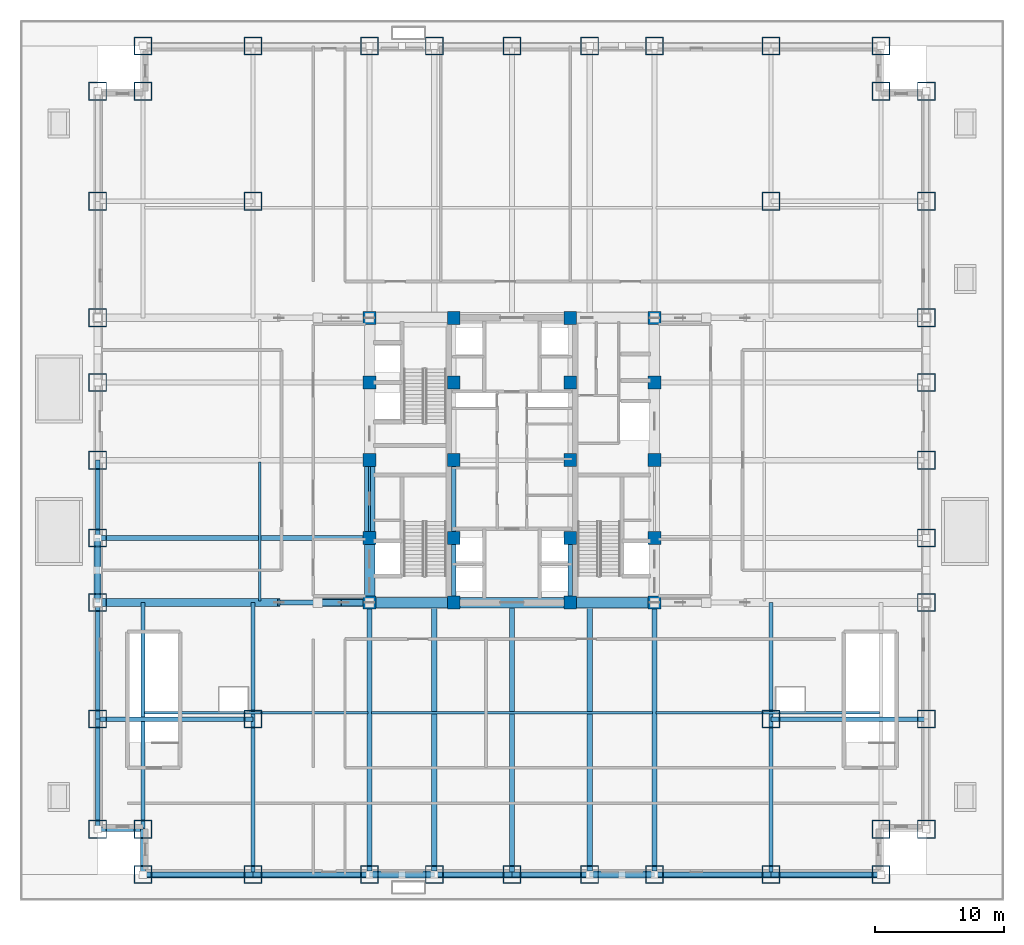
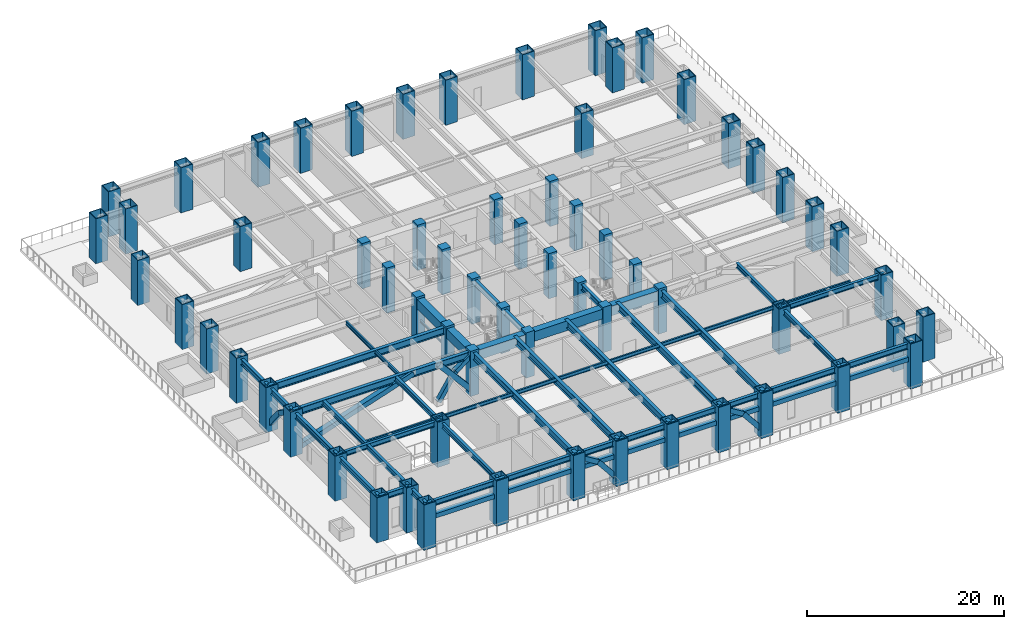
# One storey, part 1 of 21: 64 columns, 39 beams, 11 members.
"""IFC4 building model written with IfcOpenShell, lengths in metres."""

from ifc_helpers import new_model, si_unit, direction, frame, origin, origin_2d, place, context, subcontext, project, spatial, rectangle, hollow_rectangle, i_section, extrude, source, transform, mapped, material, material_profile, profile_set, type_object, element, save


model = new_model("IFC4")

# Units and contexts
model_context = context("Model", 3, precision=1e-05, world=origin(), true_north=direction((0.0, 1.0)))
body_context = subcontext(model_context, "Body", "Model", "MODEL_VIEW")
ifc_project = project(units=[si_unit("LENGTHUNIT", "METRE"), si_unit("AREAUNIT", "SQUARE_METRE"), si_unit("VOLUMEUNIT", "CUBIC_METRE"), si_unit("PLANEANGLEUNIT", "RADIAN"), si_unit("MASSUNIT", "GRAM", prefix="KILO")], contexts=[model_context])

# Site, building, storey
site_placement = place(None, origin())
site = spatial("IfcSite", under=ifc_project, at=site_placement, CompositionType="ELEMENT")
building_placement = place(site_placement, origin())
building = spatial("IfcBuilding", under=site, at=building_placement, Name="Khorayat Bourse Tower", CompositionType="ELEMENT")
storey_placement = place(building_placement, frame((0.0, 0.0, 27.0)))
storey = spatial("IfcBuildingStorey", under=building, at=storey_placement, Name="L05", CompositionType="ELEMENT", Elevation=27.0)

# Columns
ifc_material_1 = material(Name="Steel EN 10025-4 S460M", Category="steel")
ifc_material_profile_1 = material_profile(ifc_material_1, hollow_rectangle(XDim=1.39990234375, YDim=1.39990234375, WallThickness=0.074951171875, at=origin_2d()), Name="BOX 1400x1400x75")
ifc_profile_set_1 = profile_set([ifc_material_profile_1], Name="Steel EN 10025-4 S460M")
column_type_1 = type_object("IfcColumnType", Name="COL-TUBE-1400", PredefinedType="COLUMN", material=ifc_profile_set_1)
shared_shape_1 = source(origin(), body_context, "Body", "SweptSolid", [
    extrude(hollow_rectangle(XDim=1.39990234375, YDim=1.39990234375, WallThickness=0.074951171875, at=origin_2d()), origin(), (0.0, 0.0, 1.0), 5.60009765625),
])
for number, where, z_axis, x_axis, name in (
    (1, (-32.0, -28.5, 0.0), (0.0, 0.0, 1.0), (1.0, 0.0, 0.0), "L05 Column 001"),
    (2, (-32.0, -20.0, 0.0), (0.0, 0.0, 1.0), (1.0, 0.0, 0.0), "L05 Column 002"),
    (3, (-32.0, -11.0, 0.0), (0.0, 0.0, 1.0), (1.0, 0.0, 0.0), "L05 Column 003"),
    (4, (-32.0, -6.0, 0.0), (0.0, 0.0, 1.0), (1.0, 0.0, 0.0), "L05 Column 004"),
    (5, (-32.0, 0.0, 0.0), (0.0, 0.0, 1.0), (1.0, 0.0, 0.0), "L05 Column 005"),
    (6, (-32.0, 6.0, 0.0), (0.0, 0.0, 1.0), (1.0, 0.0, 0.0), "L05 Column 006"),
    (7, (-32.0, 11.0, 0.0), (0.0, 0.0, 1.0), (1.0, 0.0, 0.0), "L05 Column 007"),
    (8, (-32.0, 20.0, 0.0), (0.0, 0.0, 1.0), (1.0, 0.0, 0.0), "L05 Column 008"),
    (9, (-32.0, 28.5, 0.0), (0.0, 0.0, 1.0), (1.0, 0.0, 0.0), "L05 Column 009"),
    (10, (-28.5, -32.0, 0.0), (0.0, 0.0, 1.0), (1.0, 0.0, 0.0), "L05 Column 010"),
    (11, (-28.5, -28.5, 0.0), (0.0, 0.0, 1.0), (1.0, 0.0, 0.0), "L05 Column 011"),
    (12, (-28.5, 28.5, 0.0), (0.0, 0.0, 1.0), (1.0, 0.0, 0.0), "L05 Column 012"),
    (13, (-28.5, 32.0, 0.0), (0.0, 0.0, 1.0), (1.0, 0.0, 0.0), "L05 Column 013"),
    (14, (-20.0, -32.0, 0.0), (0.0, 0.0, 1.0), (1.0, 0.0, 0.0), "L05 Column 014"),
    (15, (-20.0, -20.0, 0.0), (0.0, 0.0, 1.0), (1.0, 0.0, 0.0), "L05 Column 015"),
    (16, (-20.0, 20.0, 0.0), (0.0, 0.0, 1.0), (1.0, 0.0, 0.0), "L05 Column 016"),
    (17, (-20.0, 32.0, 0.0), (0.0, 0.0, 1.0), (1.0, 0.0, 0.0), "L05 Column 017"),
    (18, (-11.0, -32.0, 0.0), (0.0, 0.0, 1.0), (1.0, 0.0, 0.0), "L05 Column 018"),
    (19, (-11.0, 32.0, 0.0), (0.0, 0.0, 1.0), (1.0, 0.0, 0.0), "L05 Column 024"),
    (20, (-6.0, -32.0, 0.0), (0.0, 0.0, 1.0), (1.0, 0.0, 0.0), "L05 Column 025"),
    (21, (-6.0, 32.0, 0.0), (0.0, 0.0, 1.0), (1.0, 0.0, 0.0), "L05 Column 026"),
    (22, (0.0, -32.0, 0.0), (0.0, 0.0, 1.0), (1.0, 0.0, 0.0), "L05 Column 032"),
    (23, (0.0, 32.0, 0.0), (0.0, 0.0, 1.0), (1.0, 0.0, 0.0), "L05 Column 033"),
    (24, (6.0, -32.0, 0.0), (0.0, 0.0, 1.0), (1.0, 0.0, 0.0), "L05 Column 039"),
    (25, (6.0, 32.0, 0.0), (0.0, 0.0, 1.0), (1.0, 0.0, 0.0), "L05 Column 040"),
    (26, (11.0, -32.0, 0.0), (0.0, 0.0, 1.0), (1.0, 0.0, 0.0), "L05 Column 041"),
    (27, (11.0, 32.0, 0.0), (0.0, 0.0, 1.0), (1.0, 0.0, 0.0), "L05 Column 047"),
    (28, (20.0, -32.0, 0.0), (0.0, 0.0, 1.0), (1.0, 0.0, 0.0), "L05 Column 048"),
    (29, (20.0, -20.0, 0.0), (0.0, 0.0, 1.0), (1.0, 0.0, 0.0), "L05 Column 049"),
    (30, (20.0, 20.0, 0.0), (0.0, 0.0, 1.0), (1.0, 0.0, 0.0), "L05 Column 050"),
    (31, (20.0, 32.0, 0.0), (0.0, 0.0, 1.0), (1.0, 0.0, 0.0), "L05 Column 051"),
    (32, (28.5, -32.0, 0.0), (0.0, 0.0, 1.0), (1.0, 0.0, 0.0), "L05 Column 052"),
    (33, (28.5, -28.5, 0.0), (0.0, 0.0, 1.0), (1.0, 0.0, 0.0), "L05 Column 053"),
    (34, (28.5, 28.5, 0.0), (0.0, 0.0, 1.0), (1.0, 0.0, 0.0), "L05 Column 054"),
    (35, (28.5, 32.0, 0.0), (0.0, 0.0, 1.0), (1.0, 0.0, 0.0), "L05 Column 055"),
    (36, (32.0, -28.5, 0.0), (0.0, 0.0, 1.0), (1.0, 0.0, 0.0), "L05 Column 056"),
    (37, (32.0, -20.0, 0.0), (0.0, 0.0, 1.0), (1.0, 0.0, 0.0), "L05 Column 057"),
    (38, (32.0, -11.0, 0.0), (0.0, 0.0, 1.0), (1.0, 0.0, 0.0), "L05 Column 058"),
    (39, (32.0, -6.0, 0.0), (0.0, 0.0, 1.0), (1.0, 0.0, 0.0), "L05 Column 059"),
    (40, (32.0, 0.0, 0.0), (0.0, 0.0, 1.0), (1.0, 0.0, 0.0), "L05 Column 060"),
    (41, (32.0, 6.0, 0.0), (0.0, 0.0, 1.0), (1.0, 0.0, 0.0), "L05 Column 061"),
    (42, (32.0, 11.0, 0.0), (0.0, 0.0, 1.0), (1.0, 0.0, 0.0), "L05 Column 062"),
    (43, (32.0, 20.0, 0.0), (0.0, 0.0, 1.0), (1.0, 0.0, 0.0), "L05 Column 063"),
    (44, (32.0, 28.5, 0.0), (0.0, 0.0, 1.0), (1.0, 0.0, 0.0), "L05 Column 064"),
):
    element("IfcColumn", number, at=place(storey_placement, frame(where, z_axis=z_axis, x_axis=x_axis)), inside=storey, type_object=column_type_1, Name=name, PredefinedType="COLUMN", context=body_context, shape_type="MappedRepresentation", body=[
        mapped(shared_shape_1, transform((0.0, 0.0, 0.0), scale=1.0)),
    ])
ifc_material_2 = material(Name="Concrete C72/90", Category="concrete")
ifc_material_profile_2 = material_profile(ifc_material_2, rectangle(XDim=1.0, YDim=1.0, at=origin_2d()), Name="RC 1000x1000")
ifc_profile_set_2 = profile_set([ifc_material_profile_2], Name="Concrete C72/90")
column_type_2 = type_object("IfcColumnType", Name="COL-CORE-1000", PredefinedType="COLUMN", material=ifc_profile_set_2)
shared_shape_2 = source(origin(), body_context, "Body", "SweptSolid", [
    extrude(rectangle(XDim=1.0, YDim=1.0, at=origin_2d()), origin(), (0.0, 0.0, 1.0), 5.60009765625),
])
for number, where, z_axis, x_axis, name in (
    (45, (-11.0, -11.0, 0.0), (0.0, 0.0, 1.0), (1.0, 0.0, 0.0), "L05 Column 019"),
    (46, (-11.0, -6.0, 0.0), (0.0, 0.0, 1.0), (1.0, 0.0, 0.0), "L05 Column 020"),
    (47, (-11.0, 0.0, 0.0), (0.0, 0.0, 1.0), (1.0, 0.0, 0.0), "L05 Column 021"),
    (48, (-11.0, 6.0, 0.0), (0.0, 0.0, 1.0), (1.0, 0.0, 0.0), "L05 Column 022"),
    (49, (-11.0, 11.0, 0.0), (0.0, 0.0, 1.0), (1.0, 0.0, 0.0), "L05 Column 023"),
    (50, (-4.5, -11.0, 0.0), (0.0, 0.0, 1.0), (1.0, 0.0, 0.0), "L05 Column 027"),
    (51, (-4.5, -6.0, 0.0), (0.0, 0.0, 1.0), (1.0, 0.0, 0.0), "L05 Column 028"),
    (52, (-4.5, 0.0, 0.0), (0.0, 0.0, 1.0), (1.0, 0.0, 0.0), "L05 Column 029"),
    (53, (-4.5, 6.0, 0.0), (0.0, 0.0, 1.0), (1.0, 0.0, 0.0), "L05 Column 030"),
    (54, (-4.5, 11.0, 0.0), (0.0, 0.0, 1.0), (1.0, 0.0, 0.0), "L05 Column 031"),
    (55, (4.5, -11.0, 0.0), (0.0, 0.0, 1.0), (1.0, 0.0, 0.0), "L05 Column 034"),
    (56, (4.5, -6.0, 0.0), (0.0, 0.0, 1.0), (1.0, 0.0, 0.0), "L05 Column 035"),
    (57, (4.5, 0.0, 0.0), (0.0, 0.0, 1.0), (1.0, 0.0, 0.0), "L05 Column 036"),
    (58, (4.5, 6.0, 0.0), (0.0, 0.0, 1.0), (1.0, 0.0, 0.0), "L05 Column 037"),
    (59, (4.5, 11.0, 0.0), (0.0, 0.0, 1.0), (1.0, 0.0, 0.0), "L05 Column 038"),
    (60, (11.0, -11.0, 0.0), (0.0, 0.0, 1.0), (1.0, 0.0, 0.0), "L05 Column 042"),
    (61, (11.0, -6.0, 0.0), (0.0, 0.0, 1.0), (1.0, 0.0, 0.0), "L05 Column 043"),
    (62, (11.0, 0.0, 0.0), (0.0, 0.0, 1.0), (1.0, 0.0, 0.0), "L05 Column 044"),
    (63, (11.0, 6.0, 0.0), (0.0, 0.0, 1.0), (1.0, 0.0, 0.0), "L05 Column 045"),
    (64, (11.0, 11.0, 0.0), (0.0, 0.0, 1.0), (1.0, 0.0, 0.0), "L05 Column 046"),
):
    element("IfcColumn", number, at=place(storey_placement, frame(where, z_axis=z_axis, x_axis=x_axis)), inside=storey, type_object=column_type_2, Name=name, PredefinedType="COLUMN", context=body_context, shape_type="MappedRepresentation", body=[
        mapped(shared_shape_2, transform((0.0, 0.0, 0.0), scale=1.0)),
    ])

# Beams
ifc_material_profile_3 = material_profile(ifc_material_2, rectangle(XDim=0.800048828125, YDim=1.199951171875, at=origin_2d()), Name="RC 800x1200")
ifc_profile_set_3 = profile_set([ifc_material_profile_3], Name="Concrete C72/90")
beam_type_1 = type_object("IfcBeamType", Name="BM-COUP-1200", PredefinedType="BEAM", material=ifc_profile_set_3)
shared_shape_3 = source(origin(), body_context, "Body", "SweptSolid", [
    extrude(rectangle(XDim=0.800048828125, YDim=1.199951171875, at=origin_2d()), origin(), (0.0, 0.0, 1.0), 5.0),
])
beam_1_placement = place(storey_placement, frame((-11.0, -11.0, 4.739990234375), z_axis=(0.0, 1.0, 0.0), x_axis=(-1.0, 0.0, 0.0)))
element("IfcBeam", 65, at=beam_1_placement, inside=storey, type_object=beam_type_1, Name="L05 BM-COUP-1200 BM-L05-CRX-01", PredefinedType="BEAM", context=body_context, shape_type="MappedRepresentation", body=[
    mapped(shared_shape_3, transform((0.0, 0.0, 0.0), scale=1.0)),
])
shared_shape_4 = source(origin(), body_context, "Body", "SweptSolid", [
    extrude(rectangle(XDim=0.800048828125, YDim=1.199951171875, at=origin_2d()), origin(), (0.0, 0.0, 1.0), 6.0),
])
beam_2_placement = place(storey_placement, frame((-11.0, -6.0, 4.739990234375), z_axis=(0.0, 1.0, 0.0), x_axis=(-1.0, 0.0, 0.0)))
element("IfcBeam", 66, at=beam_2_placement, inside=storey, type_object=beam_type_1, Name="L05 BM-COUP-1200 BM-L05-CRX-02", PredefinedType="BEAM", context=body_context, shape_type="MappedRepresentation", body=[
    mapped(shared_shape_4, transform((0.0, 0.0, 0.0), scale=1.0)),
])
ifc_material_3 = material(Name="Steel ASTM A992 Grade 50", Category="steel")
ifc_material_profile_4 = material_profile(ifc_material_3, i_section(OverallWidth=0.35498046875, OverallDepth=0.695068359375, WebThickness=0.015380859375, FlangeThickness=0.02490234375, FilletRadius=0.01806640625, at=origin_2d()), Name="W690X217")
ifc_profile_set_4 = profile_set([ifc_material_profile_4], Name="Steel ASTM A992 Grade 50")
beam_type_2 = type_object("IfcBeamType", Name="BM-GIRD-690", PredefinedType="BEAM", material=ifc_profile_set_4)
shared_shape_5 = source(origin(), body_context, "Body", "SweptSolid", [
    extrude(i_section(OverallWidth=0.35498046875, OverallDepth=0.695068359375, WebThickness=0.015380859375, FlangeThickness=0.02490234375, FilletRadius=0.01806640625, at=origin_2d()), origin(), (0.0, 0.0, 1.0), 5.0),
])
for number, where, z_axis, x_axis, name in (
    (67, (-4.5, -11.0, 4.992431640625), (0.0, 1.0, 0.0), (-1.0, 0.0, 0.0), "L05 BM-GIRD-690 BM-L05-CRX-05"),
    (68, (4.5, -11.0, 4.992431640625), (0.0, 1.0, 0.0), (-1.0, 0.0, 0.0), "L05 BM-GIRD-690 BM-L05-CRX-09"),
):
    element("IfcBeam", number, at=place(storey_placement, frame(where, z_axis=z_axis, x_axis=x_axis)), inside=storey, type_object=beam_type_2, Name=name, PredefinedType="BEAM", context=body_context, shape_type="MappedRepresentation", body=[
        mapped(shared_shape_5, transform((0.0, 0.0, 0.0), scale=1.0)),
    ])
shared_shape_6 = source(origin(), body_context, "Body", "SweptSolid", [
    extrude(i_section(OverallWidth=0.35498046875, OverallDepth=0.695068359375, WebThickness=0.015380859375, FlangeThickness=0.02490234375, FilletRadius=0.01806640625, at=origin_2d()), origin(), (0.0, 0.0, 1.0), 6.0),
])
beam_3_placement = place(storey_placement, frame((-4.5, -6.0, 4.992431640625), z_axis=(0.0, 1.0, 0.0), x_axis=(-1.0, 0.0, 0.0)))
element("IfcBeam", 69, at=beam_3_placement, inside=storey, type_object=beam_type_2, Name="L05 BM-GIRD-690 BM-L05-CRX-06", PredefinedType="BEAM", context=body_context, shape_type="MappedRepresentation", body=[
    mapped(shared_shape_6, transform((0.0, 0.0, 0.0), scale=1.0)),
])
shared_shape_7 = source(origin(), body_context, "Body", "SweptSolid", [
    extrude(rectangle(XDim=0.800048828125, YDim=1.199951171875, at=origin_2d()), origin(), (0.0, 0.0, 1.0), 6.5),
])
for number, where, z_axis, x_axis, name in (
    (70, (-11.0, -11.0, 4.739990234375), (1.0, 0.0, 0.0), (0.0, 1.0, 0.0), "L05 BM-COUP-1200 BM-L05-CRY-17"),
    (71, (4.5, -11.0, 4.739990234375), (1.0, 0.0, 0.0), (0.0, 1.0, 0.0), "L05 BM-COUP-1200 BM-L05-CRY-19"),
):
    element("IfcBeam", number, at=place(storey_placement, frame(where, z_axis=z_axis, x_axis=x_axis)), inside=storey, type_object=beam_type_1, Name=name, PredefinedType="BEAM", context=body_context, shape_type="MappedRepresentation", body=[
        mapped(shared_shape_7, transform((0.0, 0.0, 0.0), scale=1.0)),
    ])
shared_shape_8 = source(origin(), body_context, "Body", "SweptSolid", [
    extrude(rectangle(XDim=0.800048828125, YDim=1.199951171875, at=origin_2d()), origin(), (0.0, 0.0, 1.0), 9.0),
])
beam_4_placement = place(storey_placement, frame((-4.5, -11.0, 4.739990234375), z_axis=(1.0, 0.0, 0.0), x_axis=(0.0, 1.0, 0.0)))
element("IfcBeam", 72, at=beam_4_placement, inside=storey, type_object=beam_type_1, Name="L05 BM-COUP-1200 BM-L05-CRY-18", PredefinedType="BEAM", context=body_context, shape_type="MappedRepresentation", body=[
    mapped(shared_shape_8, transform((0.0, 0.0, 0.0), scale=1.0)),
])
ifc_material_profile_5 = material_profile(ifc_material_3, i_section(OverallWidth=0.35498046875, OverallDepth=0.695068359375, WebThickness=0.015380859375, FlangeThickness=0.02490234375, FilletRadius=0.01806640625, at=origin_2d()), Name="W690X217")
ifc_profile_set_5 = profile_set([ifc_material_profile_5], Name="Steel ASTM A992 Grade 50")
beam_type_3 = type_object("IfcBeamType", Name="BM-SPAN-690", PredefinedType="SPANDREL", material=ifc_profile_set_5)
shared_shape_9 = source(origin(), body_context, "Body", "SweptSolid", [
    extrude(i_section(OverallWidth=0.35498046875, OverallDepth=0.695068359375, WebThickness=0.015380859375, FlangeThickness=0.02490234375, FilletRadius=0.01806640625, at=origin_2d()), origin(), (0.0, 0.0, 1.0), 8.5),
])
for number, where, z_axis, x_axis, name in (
    (73, (-28.5, -32.0, 4.992431640625), (1.0, 0.0, 0.0), (0.0, 1.0, 0.0), "L05 BM-SPAN-690 BM-L05-SPN-024"),
    (74, (20.0, -32.0, 4.992431640625), (1.0, 0.0, 0.0), (0.0, 1.0, 0.0), "L05 BM-SPAN-690 BM-L05-SPN-031"),
    (75, (-32.0, -28.5, 4.992431640625), (0.0, 1.0, 0.0), (-1.0, 0.0, 0.0), "L05 BM-SPAN-690 BM-L05-SPN-061"),
):
    element("IfcBeam", number, at=place(storey_placement, frame(where, z_axis=z_axis, x_axis=x_axis)), inside=storey, type_object=beam_type_3, Name=name, PredefinedType="SPANDREL", context=body_context, shape_type="MappedRepresentation", body=[
        mapped(shared_shape_9, transform((0.0, 0.0, 0.0), scale=1.0)),
    ])
shared_shape_10 = source(origin(), body_context, "Body", "SweptSolid", [
    extrude(i_section(OverallWidth=0.35498046875, OverallDepth=0.695068359375, WebThickness=0.015380859375, FlangeThickness=0.02490234375, FilletRadius=0.01806640625, at=origin_2d()), origin(), (0.0, 0.0, 1.0), 9.0),
])
for number, where, z_axis, x_axis, name in (
    (76, (-20.0, -32.0, 4.992431640625), (1.0, 0.0, 0.0), (0.0, 1.0, 0.0), "L05 BM-SPAN-690 BM-L05-SPN-025"),
    (77, (11.0, -32.0, 4.992431640625), (1.0, 0.0, 0.0), (0.0, 1.0, 0.0), "L05 BM-SPAN-690 BM-L05-SPN-030"),
    (78, (-32.0, -20.0, 4.992431640625), (0.0, 1.0, 0.0), (-1.0, 0.0, 0.0), "L05 BM-SPAN-690 BM-L05-SPN-060"),
):
    element("IfcBeam", number, at=place(storey_placement, frame(where, z_axis=z_axis, x_axis=x_axis)), inside=storey, type_object=beam_type_3, Name=name, PredefinedType="SPANDREL", context=body_context, shape_type="MappedRepresentation", body=[
        mapped(shared_shape_10, transform((0.0, 0.0, 0.0), scale=1.0)),
    ])
shared_shape_11 = source(origin(), body_context, "Body", "SweptSolid", [
    extrude(i_section(OverallWidth=0.35498046875, OverallDepth=0.695068359375, WebThickness=0.015380859375, FlangeThickness=0.02490234375, FilletRadius=0.01806640625, at=origin_2d()), origin(), (0.0, 0.0, 1.0), 5.0),
])
for number, where, z_axis, x_axis, name in (
    (79, (-11.0, -32.0, 4.992431640625), (1.0, 0.0, 0.0), (0.0, 1.0, 0.0), "L05 BM-SPAN-690 BM-L05-SPN-026"),
    (80, (6.0, -32.0, 4.992431640625), (1.0, 0.0, 0.0), (0.0, 1.0, 0.0), "L05 BM-SPAN-690 BM-L05-SPN-029"),
    (81, (-32.0, -11.0, 4.992431640625), (0.0, 1.0, 0.0), (-1.0, 0.0, 0.0), "L05 BM-SPAN-690 BM-L05-SPN-059"),
):
    element("IfcBeam", number, at=place(storey_placement, frame(where, z_axis=z_axis, x_axis=x_axis)), inside=storey, type_object=beam_type_3, Name=name, PredefinedType="SPANDREL", context=body_context, shape_type="MappedRepresentation", body=[
        mapped(shared_shape_11, transform((0.0, 0.0, 0.0), scale=1.0)),
    ])
shared_shape_12 = source(origin(), body_context, "Body", "SweptSolid", [
    extrude(i_section(OverallWidth=0.35498046875, OverallDepth=0.695068359375, WebThickness=0.015380859375, FlangeThickness=0.02490234375, FilletRadius=0.01806640625, at=origin_2d()), origin(), (0.0, 0.0, 1.0), 6.0),
])
for number, where, z_axis, x_axis, name in (
    (82, (-6.0, -32.0, 4.992431640625), (1.0, 0.0, 0.0), (0.0, 1.0, 0.0), "L05 BM-SPAN-690 BM-L05-SPN-027"),
    (83, (0.0, -32.0, 4.992431640625), (1.0, 0.0, 0.0), (0.0, 1.0, 0.0), "L05 BM-SPAN-690 BM-L05-SPN-028"),
    (84, (-32.0, -6.0, 4.992431640625), (0.0, 1.0, 0.0), (-1.0, 0.0, 0.0), "L05 BM-SPAN-690 BM-L05-SPN-058"),
):
    element("IfcBeam", number, at=place(storey_placement, frame(where, z_axis=z_axis, x_axis=x_axis)), inside=storey, type_object=beam_type_3, Name=name, PredefinedType="SPANDREL", context=body_context, shape_type="MappedRepresentation", body=[
        mapped(shared_shape_12, transform((0.0, 0.0, 0.0), scale=1.0)),
    ])
shared_shape_13 = source(origin(), body_context, "Body", "SweptSolid", [
    extrude(i_section(OverallWidth=0.35498046875, OverallDepth=0.695068359375, WebThickness=0.015380859375, FlangeThickness=0.02490234375, FilletRadius=0.01806640625, at=origin_2d()), origin(), (0.0, 0.0, 1.0), 3.5),
])
for number, where, z_axis, x_axis, name in (
    (85, (-32.0, -28.5, 4.992431640625), (1.0, 0.0, 0.0), (0.0, 1.0, 0.0), "L05 BM-SPAN-690 BM-L05-SPN-062"),
    (86, (-28.5, -32.0, 4.992431640625), (0.0, 1.0, 0.0), (-1.0, 0.0, 0.0), "L05 BM-SPAN-690 BM-L05-SPN-063"),
):
    element("IfcBeam", number, at=place(storey_placement, frame(where, z_axis=z_axis, x_axis=x_axis)), inside=storey, type_object=beam_type_3, Name=name, PredefinedType="SPANDREL", context=body_context, shape_type="MappedRepresentation", body=[
        mapped(shared_shape_13, transform((0.0, 0.0, 0.0), scale=1.0)),
    ])
ifc_material_profile_6 = material_profile(ifc_material_3, i_section(OverallWidth=0.39990234375, OverallDepth=0.85498046875, WebThickness=0.018310546875, FlangeThickness=0.029296875, FilletRadius=0.02001953125, at=origin_2d()), Name="W840X299")
ifc_profile_set_6 = profile_set([ifc_material_profile_6], Name="Steel ASTM A992 Grade 50")
beam_type_4 = type_object("IfcBeamType", Name="BM-GIRD-840", PredefinedType="BEAM", material=ifc_profile_set_6)
shared_shape_14 = source(origin(), body_context, "Body", "SweptSolid", [
    extrude(i_section(OverallWidth=0.39990234375, OverallDepth=0.85498046875, WebThickness=0.018310546875, FlangeThickness=0.029296875, FilletRadius=0.02001953125, at=origin_2d()), origin(), (0.0, 0.0, 1.0), 21.0),
])
for number, where, z_axis, x_axis, name in (
    (87, (-11.0, -32.0, 4.91259765625), (0.0, 1.0, 0.0), (-1.0, 0.0, 0.0), "L05 BM-GIRD-840 BM-L05-RADY-065"),
    (88, (-6.0, -32.0, 4.91259765625), (0.0, 1.0, 0.0), (-1.0, 0.0, 0.0), "L05 BM-GIRD-840 BM-L05-RADY-067"),
    (89, (0.0, -32.0, 4.91259765625), (0.0, 1.0, 0.0), (-1.0, 0.0, 0.0), "L05 BM-GIRD-840 BM-L05-RADY-069"),
    (90, (6.0, -32.0, 4.91259765625), (0.0, 1.0, 0.0), (-1.0, 0.0, 0.0), "L05 BM-GIRD-840 BM-L05-RADY-071"),
    (91, (11.0, -32.0, 4.91259765625), (0.0, 1.0, 0.0), (-1.0, 0.0, 0.0), "L05 BM-GIRD-840 BM-L05-RADY-073"),
    (92, (-32.0, -11.0, 4.91259765625), (1.0, 0.0, 0.0), (0.0, 1.0, 0.0), "L05 BM-GIRD-840 BM-L05-RADX-075"),
    (93, (-32.0, -6.0, 4.91259765625), (1.0, 0.0, 0.0), (0.0, 1.0, 0.0), "L05 BM-GIRD-840 BM-L05-RADX-077"),
):
    element("IfcBeam", number, at=place(storey_placement, frame(where, z_axis=z_axis, x_axis=x_axis)), inside=storey, type_object=beam_type_4, Name=name, PredefinedType="BEAM", context=body_context, shape_type="MappedRepresentation", body=[
        mapped(shared_shape_14, transform((0.0, 0.0, 0.0), scale=1.0)),
    ])
ifc_material_profile_7 = material_profile(ifc_material_3, i_section(OverallWidth=0.324951171875, OverallDepth=0.615966796875, WebThickness=0.013916015625, FlangeThickness=0.021484375, FilletRadius=0.01611328125, at=origin_2d()), Name="W610X174")
ifc_profile_set_7 = profile_set([ifc_material_profile_7], Name="Steel ASTM A992 Grade 50")
beam_type_5 = type_object("IfcBeamType", Name="BM-GIRD-610", PredefinedType="BEAM", material=ifc_profile_set_7)
shared_shape_15 = source(origin(), body_context, "Body", "SweptSolid", [
    extrude(i_section(OverallWidth=0.324951171875, OverallDepth=0.615966796875, WebThickness=0.013916015625, FlangeThickness=0.021484375, FilletRadius=0.01611328125, at=origin_2d()), origin(), (0.0, 0.0, 1.0), 21.0),
])
for number, where, z_axis, x_axis, name in (
    (94, (-20.0, -32.0, 5.031982421875), (0.0, 1.0, 0.0), (-1.0, 0.0, 0.0), "L05 BM-GIRD-610 BM-L05-CNRY-084"),
    (95, (20.0, -32.0, 5.031982421875), (0.0, 1.0, 0.0), (-1.0, 0.0, 0.0), "L05 BM-GIRD-610 BM-L05-CNRY-086"),
):
    element("IfcBeam", number, at=place(storey_placement, frame(where, z_axis=z_axis, x_axis=x_axis)), inside=storey, type_object=beam_type_5, Name=name, PredefinedType="BEAM", context=body_context, shape_type="MappedRepresentation", body=[
        mapped(shared_shape_15, transform((0.0, 0.0, 0.0), scale=1.0)),
    ])
shared_shape_16 = source(origin(), body_context, "Body", "SweptSolid", [
    extrude(i_section(OverallWidth=0.324951171875, OverallDepth=0.615966796875, WebThickness=0.013916015625, FlangeThickness=0.021484375, FilletRadius=0.01611328125, at=origin_2d()), origin(), (0.0, 0.0, 1.0), 17.5),
])
beam_5_placement = place(storey_placement, frame((-28.5, -28.5, 5.031982421875), z_axis=(0.0, 1.0, 0.0), x_axis=(-1.0, 0.0, 0.0)))
element("IfcBeam", 96, at=beam_5_placement, inside=storey, type_object=beam_type_5, Name="L05 BM-GIRD-610 BM-L05-CNRY-088", PredefinedType="BEAM", context=body_context, shape_type="MappedRepresentation", body=[
    mapped(shared_shape_16, transform((0.0, 0.0, 0.0), scale=1.0)),
])
shared_shape_17 = source(origin(), body_context, "Body", "SweptSolid", [
    extrude(i_section(OverallWidth=0.324951171875, OverallDepth=0.615966796875, WebThickness=0.013916015625, FlangeThickness=0.021484375, FilletRadius=0.01611328125, at=origin_2d()), origin(), (0.0, 0.0, 1.0), 12.0),
])
for number, where, z_axis, x_axis, name in (
    (97, (20.0, -20.0, 5.031982421875), (1.0, 0.0, 0.0), (0.0, 1.0, 0.0), "L05 BM-GIRD-610 BM-L05-CNRX-092"),
    (98, (-32.0, -20.0, 5.031982421875), (1.0, 0.0, 0.0), (0.0, 1.0, 0.0), "L05 BM-GIRD-610 BM-L05-CNRX-093"),
):
    element("IfcBeam", number, at=place(storey_placement, frame(where, z_axis=z_axis, x_axis=x_axis)), inside=storey, type_object=beam_type_5, Name=name, PredefinedType="BEAM", context=body_context, shape_type="MappedRepresentation", body=[
        mapped(shared_shape_17, transform((0.0, 0.0, 0.0), scale=1.0)),
    ])
ifc_material_profile_8 = material_profile(ifc_material_3, i_section(OverallWidth=0.194091796875, OverallDepth=0.468994140625, WebThickness=0.0126953125, FlangeThickness=0.0205078125, FilletRadius=0.012939453125, at=origin_2d()), Name="W460X106")
ifc_profile_set_8 = profile_set([ifc_material_profile_8], Name="Steel ASTM A992 Grade 50")
beam_type_6 = type_object("IfcBeamType", Name="BM-JOIST-460", PredefinedType="JOIST", material=ifc_profile_set_8)
shared_shape_18 = source(origin(), body_context, "Body", "SweptSolid", [
    extrude(i_section(OverallWidth=0.194091796875, OverallDepth=0.468994140625, WebThickness=0.0126953125, FlangeThickness=0.0205078125, FilletRadius=0.012939453125, at=origin_2d()), origin(), (0.0, 0.0, 1.0), 17.240234375),
])
for number, where, z_axis, x_axis, name in (
    (99, (-28.3701171875, -19.5, 5.10546875), (1.0, 0.0, 0.0), (0.0, 1.0, 0.0), "L05 BM-JOIST-460 BM-L05-JSTX-096"),
    (100, (11.1298828125, -19.5, 5.10546875), (1.0, 0.0, 0.0), (0.0, 1.0, 0.0), "L05 BM-JOIST-460 BM-L05-JSTX-098"),
):
    element("IfcBeam", number, at=place(storey_placement, frame(where, z_axis=z_axis, x_axis=x_axis)), inside=storey, type_object=beam_type_6, Name=name, PredefinedType="JOIST", context=body_context, shape_type="MappedRepresentation", body=[
        mapped(shared_shape_18, transform((0.0, 0.0, 0.0), scale=1.0)),
    ])
shared_shape_19 = source(origin(), body_context, "Body", "SweptSolid", [
    extrude(i_section(OverallWidth=0.194091796875, OverallDepth=0.468994140625, WebThickness=0.0126953125, FlangeThickness=0.0205078125, FilletRadius=0.012939453125, at=origin_2d()), origin(), (0.0, 0.0, 1.0), 21.740234375),
])
beam_6_placement = place(storey_placement, frame((-10.8701171875, -19.5, 5.10546875), z_axis=(1.0, 0.0, 0.0), x_axis=(0.0, 1.0, 0.0)))
element("IfcBeam", 101, at=beam_6_placement, inside=storey, type_object=beam_type_6, Name="L05 BM-JOIST-460 BM-L05-JSTX-097", PredefinedType="JOIST", context=body_context, shape_type="MappedRepresentation", body=[
    mapped(shared_shape_19, transform((0.0, 0.0, 0.0), scale=1.0)),
])
shared_shape_20 = source(origin(), body_context, "Body", "SweptSolid", [
    extrude(i_section(OverallWidth=0.194091796875, OverallDepth=0.468994140625, WebThickness=0.0126953125, FlangeThickness=0.0205078125, FilletRadius=0.012939453125, at=origin_2d()), origin(), (0.0, 0.0, 1.0), 10.740234375),
])
beam_7_placement = place(storey_placement, frame((-19.5, -10.8701171875, 5.10546875), z_axis=(0.0, 1.0, 0.0), x_axis=(-1.0, 0.0, 0.0)))
element("IfcBeam", 102, at=beam_7_placement, inside=storey, type_object=beam_type_6, Name="L05 BM-JOIST-460 BM-L05-JSTY-102", PredefinedType="JOIST", context=body_context, shape_type="MappedRepresentation", body=[
    mapped(shared_shape_20, transform((0.0, 0.0, 0.0), scale=1.0)),
])

# Members
ifc_material_profile_9 = material_profile(ifc_material_1, hollow_rectangle(XDim=0.550048828125, YDim=0.550048828125, WallThickness=0.031982421875, at=origin_2d()), Name="HSS 550x550x32")
ifc_profile_set_9 = profile_set([ifc_material_profile_9], Name="Steel EN 10025-4 S460M")
member_type_1 = type_object("IfcMemberType", Name="MBR-TUBE-550", PredefinedType="BRACE", material=ifc_profile_set_9)
shared_shape_21 = source(origin(), body_context, "Body", "SweptSolid", [
    extrude(hollow_rectangle(XDim=0.550048828125, YDim=0.550048828125, WallThickness=0.031982421875, at=origin_2d()), origin(), (0.0, 0.0, 1.0), 2.936279296875),
])
for number, where, z_axis, x_axis, name in (
    (103, (-11.0, -32.0, 4.989990234375), (0.851418423545, 0.0, -0.524487052317), (0.0, 1.0, 0.0), "L05 Perimeter Tube Brace 01"),
    (104, (6.0, -32.0, 4.989990234375), (0.851418423545, 0.0, -0.524487052317), (0.0, 1.0, 0.0), "L05 Perimeter Tube Brace 03"),
    (105, (-32.0, -11.0, 4.989990234375), (0.0, 0.851418423545, -0.524487052317), (-1.0, 0.0, 0.0), "L05 Perimeter Tube Brace 09"),
):
    element("IfcMember", number, at=place(storey_placement, frame(where, z_axis=z_axis, x_axis=x_axis)), inside=storey, type_object=member_type_1, Name=name, PredefinedType="BRACE", context=body_context, shape_type="MappedRepresentation", body=[
        mapped(shared_shape_21, transform((0.0, 0.0, 0.0), scale=1.0)),
    ])
shared_shape_22 = source(origin(), body_context, "Body", "SweptSolid", [
    extrude(hollow_rectangle(XDim=0.550048828125, YDim=0.550048828125, WallThickness=0.031982421875, at=origin_2d()), origin(), (0.0, 0.0, 1.0), 3.982421875),
])
for number, where, z_axis, x_axis, name in (
    (106, (-8.5, -32.0, 3.449951171875), (0.627770425268, 0.0, -0.778398543909), (0.0, 1.0, 0.0), "L05 Perimeter Tube Brace 02"),
    (107, (8.5, -32.0, 3.449951171875), (0.627770425268, 0.0, -0.778398543909), (0.0, 1.0, 0.0), "L05 Perimeter Tube Brace 04"),
    (108, (-32.0, -8.5, 3.449951171875), (0.0, 0.627770425268, -0.778398543909), (-1.0, 0.0, 0.0), "L05 Perimeter Tube Brace 10"),
):
    element("IfcMember", number, at=place(storey_placement, frame(where, z_axis=z_axis, x_axis=x_axis)), inside=storey, type_object=member_type_1, Name=name, PredefinedType="BRACE", context=body_context, shape_type="MappedRepresentation", body=[
        mapped(shared_shape_22, transform((0.0, 0.0, 0.0), scale=1.0)),
    ])
ifc_material_profile_10 = material_profile(ifc_material_1, hollow_rectangle(XDim=0.60009765625, YDim=0.60009765625, WallThickness=0.034912109375, at=origin_2d()), Name="BOX 600x600x35")
ifc_profile_set_10 = profile_set([ifc_material_profile_10], Name="Steel EN 10025-4 S460M")
member_type_2 = type_object("IfcMemberType", Name="MBR-OUTRIG-600", PredefinedType="BRACE", material=ifc_profile_set_10)
shared_shape_23 = source(origin(), body_context, "Body", "SweptSolid", [
    extrude(hollow_rectangle(XDim=0.60009765625, YDim=0.60009765625, WallThickness=0.034912109375, at=origin_2d()), origin(), (0.0, 0.0, 1.0), 6.1259765625),
])
member_1_placement = place(storey_placement, frame((-11.0, -11.0, 0.35009765625), z_axis=(-0.652948293953, 0.0, 0.757402485753), x_axis=(0.0, -1.0, 0.0)))
element("IfcMember", 109, at=member_1_placement, inside=storey, type_object=member_type_2, Name="L05 Outrigger Truss Diagonal 01", PredefinedType="BRACE", context=body_context, shape_type="MappedRepresentation", body=[
    mapped(shared_shape_23, transform((0.0, 0.0, 0.0), scale=1.0)),
])
shared_shape_24 = source(origin(), body_context, "Body", "SweptSolid", [
    extrude(hollow_rectangle(XDim=0.60009765625, YDim=0.60009765625, WallThickness=0.034912109375, at=origin_2d()), origin(), (0.0, 0.0, 1.0), 14.748779296875),
])
member_2_placement = place(storey_placement, frame((-18.0, -11.0, 4.989990234375), z_axis=(-0.949226491363, 0.0, -0.314593496588), x_axis=(0.0, -1.0, 0.0)))
element("IfcMember", 110, at=member_2_placement, inside=storey, type_object=member_type_2, Name="L05 Outrigger Truss Diagonal 02", PredefinedType="BRACE", context=body_context, shape_type="MappedRepresentation", body=[
    mapped(shared_shape_24, transform((0.0, 0.0, 0.0), scale=1.0)),
])
ifc_material_profile_11 = material_profile(ifc_material_1, hollow_rectangle(XDim=0.5, YDim=0.5, WallThickness=0.028076171875, at=origin_2d()), Name="HSS 500x500x28")
ifc_profile_set_11 = profile_set([ifc_material_profile_11], Name="Steel EN 10025-4 S460M")
member_type_3 = type_object("IfcMemberType", Name="MBR-TRUSS-500", PredefinedType="CHORD", material=ifc_profile_set_11)
shared_shape_25 = source(origin(), body_context, "Body", "SweptSolid", [
    extrude(hollow_rectangle(XDim=0.5, YDim=0.5, WallThickness=0.028076171875, at=origin_2d()), origin(), (0.0, 0.0, 1.0), 2.524169921875),
])
member_3_placement = place(storey_placement, frame((-11.0, -11.0, 4.989990234375), z_axis=(-0.792321869771, 0.0, -0.610103314761), x_axis=(0.0, -1.0, 0.0)))
element("IfcMember", 111, at=member_3_placement, inside=storey, type_object=member_type_3, Name="L05 Plant Belt Web Diagonal 01", PredefinedType="CHORD", context=body_context, shape_type="MappedRepresentation", body=[
    mapped(shared_shape_25, transform((0.0, 0.0, 0.0), scale=1.0)),
])
shared_shape_26 = source(origin(), body_context, "Body", "SweptSolid", [
    extrude(hollow_rectangle(XDim=0.5, YDim=0.5, WallThickness=0.028076171875, at=origin_2d()), origin(), (0.0, 0.0, 1.0), 3.68896484375),
])
member_4_placement = place(storey_placement, frame((-13.0, -11.0, 3.449951171875), z_axis=(-0.542144958519, 0.0, -0.840284977822), x_axis=(0.0, -1.0, 0.0)))
element("IfcMember", 112, at=member_4_placement, inside=storey, type_object=member_type_3, Name="L05 Plant Belt Web Diagonal 02", PredefinedType="CHORD", context=body_context, shape_type="MappedRepresentation", body=[
    mapped(shared_shape_26, transform((0.0, 0.0, 0.0), scale=1.0)),
])
ifc_material_profile_12 = material_profile(ifc_material_1, hollow_rectangle(XDim=0.550048828125, YDim=0.550048828125, WallThickness=0.031982421875, at=origin_2d()), Name="HSS 550x550x32")
ifc_profile_set_12 = profile_set([ifc_material_profile_12], Name="Steel EN 10025-4 S460M")
member_type_4 = type_object("IfcMemberType", Name="MBR-BELT-550", PredefinedType="CHORD", material=ifc_profile_set_12)
shared_shape_27 = source(origin(), body_context, "Body", "SweptSolid", [
    extrude(hollow_rectangle(XDim=0.550048828125, YDim=0.550048828125, WallThickness=0.031982421875, at=origin_2d()), origin(), (0.0, 0.0, 1.0), 57.0),
])
member_5_placement = place(storey_placement, frame((-28.5, -32.0, 3.449951171875), z_axis=(1.0, 0.0, 0.0), x_axis=(0.0, 1.0, 0.0)))
element("IfcMember", 113, at=member_5_placement, inside=storey, type_object=member_type_4, Name="L05 Belt Truss Mid Chord 01", PredefinedType="CHORD", context=body_context, shape_type="MappedRepresentation", body=[
    mapped(shared_shape_27, transform((0.0, 0.0, 0.0), scale=1.0)),
])

# Beam
ifc_material_profile_13 = material_profile(ifc_material_3, i_section(OverallWidth=0.14697265625, OverallDepth=0.261962890625, WebThickness=0.006591796875, FlangeThickness=0.01123046875, FilletRadius=0.008056640625, at=origin_2d()), Name="W250X39")
ifc_profile_set_13 = profile_set([ifc_material_profile_13], Name="Steel ASTM A992 Grade 50")
beam_type_7 = type_object("IfcBeamType", Name="BM-LINTEL-250", PredefinedType="LINTEL", material=ifc_profile_set_13)
shared_shape_28 = source(origin(), body_context, "Body", "SweptSolid", [
    extrude(i_section(OverallWidth=0.14697265625, OverallDepth=0.261962890625, WebThickness=0.006591796875, FlangeThickness=0.01123046875, FilletRadius=0.008056640625, at=origin_2d()), origin(), (0.0, 0.0, 1.0), 6.0),
])
beam_8_placement = place(storey_placement, frame((-11.0, -6.0, 2.550048828125), z_axis=(0.0, 1.0, 0.0), x_axis=(-1.0, 0.0, 0.0)))
element("IfcBeam", 114, at=beam_8_placement, inside=storey, type_object=beam_type_7, Name="L05 Core Opening Lintel 01", PredefinedType="LINTEL", context=body_context, shape_type="MappedRepresentation", body=[
    mapped(shared_shape_28, transform((0.0, 0.0, 0.0), scale=1.0)),
])

save(model, "model.ifc")
